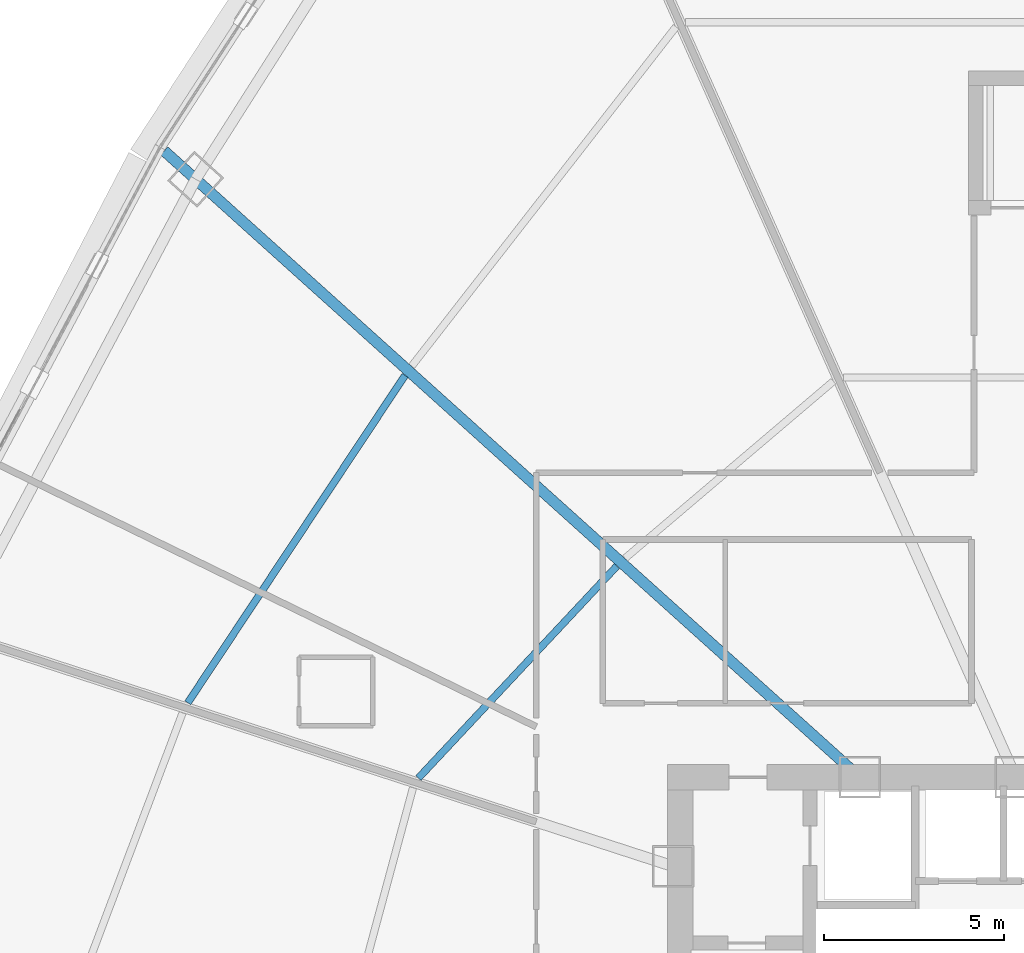
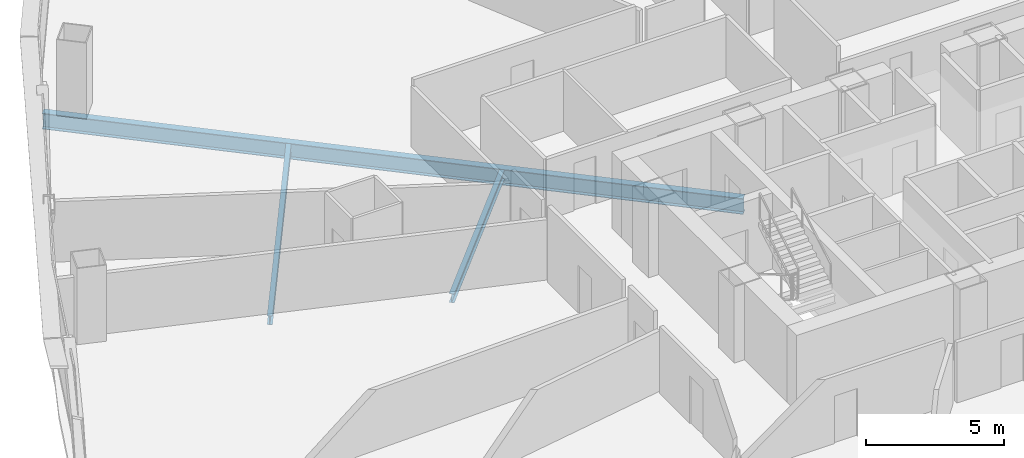
# One storey, part 15 of 37: 3 beams.
"""IFC4 building model written with IfcOpenShell, lengths in metres."""

from ifc_helpers import new_model, si_unit, direction, frame, origin, origin_2d, place, context, subcontext, project, spatial, i_section, extrude, source, transform, mapped, material, material_profile, profile_set, type_object, element, save


model = new_model("IFC4")

# Units and contexts
model_context = context("Model", 3, precision=1e-05, world=origin(), true_north=direction((0.0, 1.0)))
body_context = subcontext(model_context, "Body", "Model", "MODEL_VIEW")
ifc_project = project(units=[si_unit("LENGTHUNIT", "METRE"), si_unit("AREAUNIT", "SQUARE_METRE"), si_unit("VOLUMEUNIT", "CUBIC_METRE"), si_unit("PLANEANGLEUNIT", "RADIAN"), si_unit("MASSUNIT", "GRAM", prefix="KILO"), si_unit("THERMODYNAMICTEMPERATUREUNIT", "KELVIN"), si_unit("POWERUNIT", "WATT")], contexts=[model_context])

# Site, building, storey
site_placement = place(None, origin())
site = spatial("IfcSite", under=ifc_project, at=site_placement, CompositionType="ELEMENT")
building_placement = place(site_placement, origin())
building = spatial("IfcBuilding", under=site, at=building_placement, Name="Yunzhuo Pagoda Commons", CompositionType="ELEMENT")
storey_placement = place(building_placement, frame((0.0, 0.0, 55.81005859375)))
storey = spatial("IfcBuildingStorey", under=building, at=storey_placement, Name="L14", CompositionType="ELEMENT", Elevation=55.81005859375)

# Beams
ifc_material = material(Name="Structural steel Q355B", Category="steel")
ifc_material_profile_1 = material_profile(ifc_material, i_section(OverallWidth=0.199951171875, OverallDepth=0.39990234375, WebThickness=0.008056640625, FlangeThickness=0.012939453125, at=origin_2d()), Name="Structural steel Q355B")
ifc_profile_set_1 = profile_set([ifc_material_profile_1], Name="Structural steel Q355B")
beam_type_1 = type_object("IfcBeamType", Name="B-JS1 Joist HN 400x200x8x13", PredefinedType="JOIST", material=ifc_profile_set_1)
shared_shape_1 = source(origin(), body_context, "Body", "SweptSolid", [
    extrude(i_section(OverallWidth=0.199951171875, OverallDepth=0.39990234375, WebThickness=0.008056640625, FlangeThickness=0.012939453125, at=origin_2d()), origin(), (0.0, 0.0, 1.0), 8.055908203125),
])
beam_1_placement = place(storey_placement, frame((34.03759765625, 46.057861328125, -0.4599609375), z_axis=(-0.683432879027, -0.730013355949, 0.0), x_axis=(0.730013355949, -0.683432879027, 0.0)))
element("IfcBeam", 1, at=beam_1_placement, inside=storey, type_object=beam_type_1, Name="L14 composite ring joist 1.10", PredefinedType="JOIST", context=body_context, shape_type="MappedRepresentation", body=[
    mapped(shared_shape_1, transform((0.0, 0.0, 0.0), scale=1.0)),
])
shared_shape_2 = source(origin(), body_context, "Body", "SweptSolid", [
    extrude(i_section(OverallWidth=0.199951171875, OverallDepth=0.39990234375, WebThickness=0.008056640625, FlangeThickness=0.012939453125, at=origin_2d()), origin(), (0.0, 0.0, 1.0), 10.904052734375),
])
beam_2_placement = place(storey_placement, frame((28.160888671875, 51.351806640625, -0.4599609375), z_axis=(-0.552916349928, -0.833236767061, 0.0), x_axis=(0.833236767061, -0.552916349928, 0.0)))
element("IfcBeam", 2, at=beam_2_placement, inside=storey, type_object=beam_type_1, Name="L14 composite ring joist 2.10", PredefinedType="JOIST", context=body_context, shape_type="MappedRepresentation", body=[
    mapped(shared_shape_2, transform((0.0, 0.0, 0.0), scale=1.0)),
])
ifc_material_profile_2 = material_profile(ifc_material, i_section(OverallWidth=0.300048828125, OverallDepth=0.699951171875, WebThickness=0.012939453125, FlangeThickness=0.02392578125, at=origin_2d()), Name="Structural steel Q355B")
ifc_profile_set_2 = profile_set([ifc_material_profile_2], Name="Structural steel Q355B")
beam_type_2 = type_object("IfcBeamType", Name="B-RG1 Beam HN 700x300x13x24", PredefinedType="BEAM", material=ifc_profile_set_2)
shared_shape_3 = source(origin(), body_context, "Body", "SweptSolid", [
    extrude(i_section(OverallWidth=0.300048828125, OverallDepth=0.699951171875, WebThickness=0.012939453125, FlangeThickness=0.02392578125, at=origin_2d()), origin(), (0.0, 0.0, 1.0), 25.97607421875),
])
beam_3_placement = place(storey_placement, frame((21.47705078125, 57.581298828125, -0.610107421875), z_axis=(0.743145046906, -0.669130360437, 0.0), x_axis=(0.669130360437, 0.743145046906, 0.0)))
element("IfcBeam", 3, at=beam_3_placement, inside=storey, type_object=beam_type_2, Name="L14 radial floor girder F3C2", PredefinedType="BEAM", context=body_context, shape_type="MappedRepresentation", body=[
    mapped(shared_shape_3, transform((0.0, 0.0, 0.0), scale=1.0)),
])

save(model, "model.ifc")
